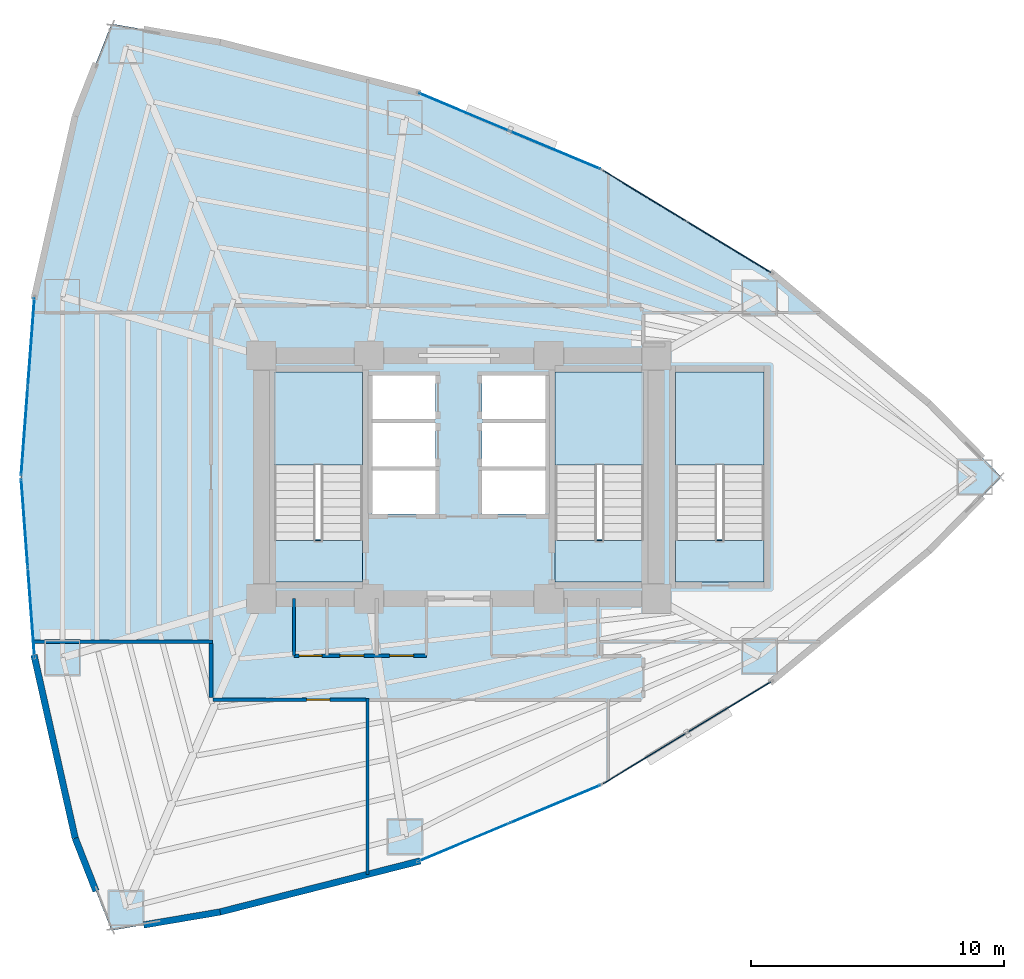
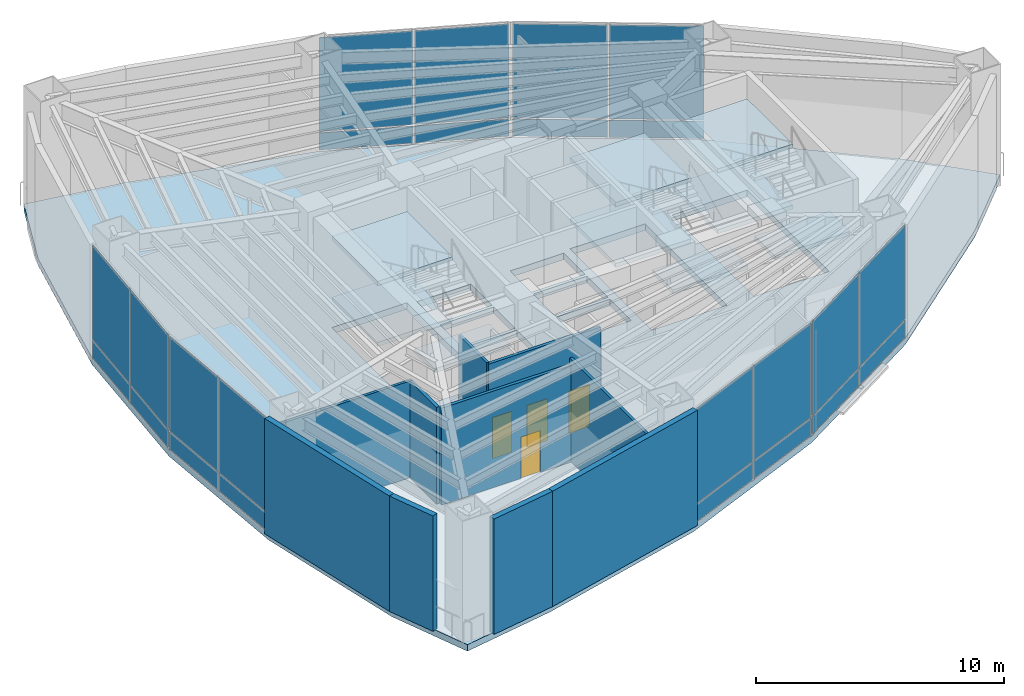
# One storey, part 13 of 19: 24 plates, 10 slabs, 10 walls, 4 doors, 4 openings, 9 elements without a shape of their own.
"""IFC4 building model written with IfcOpenShell, lengths in metres."""

from ifc_helpers import new_model, si_unit, direction, frame, frame_2d, origin, origin_2d, place, context, subcontext, project, spatial, polyline, rectangle, outline, extrude, material, layer, layer_set, type_object, element, fill, aggregate, save


model = new_model("IFC4")

# Units and contexts
model_context = context("Model", 3, precision=1e-05, world=origin(), true_north=direction((0.0, 1.0)))
body_context = subcontext(model_context, "Body", "Model", "MODEL_VIEW")
ifc_project = project(units=[si_unit("LENGTHUNIT", "METRE"), si_unit("AREAUNIT", "SQUARE_METRE"), si_unit("VOLUMEUNIT", "CUBIC_METRE"), si_unit("PLANEANGLEUNIT", "RADIAN"), si_unit("MASSUNIT", "GRAM", prefix="KILO")], contexts=[model_context])

# Site, building, storey
site_placement = place(None, origin())
site = spatial("IfcSite", under=ifc_project, at=site_placement, CompositionType="ELEMENT")
building_placement = place(site_placement, origin())
building = spatial("IfcBuilding", under=site, at=building_placement, Name="Menara Vayukalpa", CompositionType="ELEMENT")
storey_placement = place(building_placement, frame((0.0, 0.0, 12.0)))
storey = spatial("IfcBuildingStorey", under=building, at=storey_placement, Name="L02", CompositionType="ELEMENT", Elevation=12.0)

# Curtain wall, plates
ifc_material_1 = material(Name="Anodised Terracotta Aluminium Alloy 6063-T6", Category="masonry")
ifc_layer_1 = layer(ifc_material_1, 0.179931640625)
ifc_layer_set_1 = layer_set([ifc_layer_1], Name="Anodised Terracotta Aluminium Alloy 6063-T6")
curtain_wall_type = type_object("IfcCurtainWallType", Name="CW-CW1", PredefinedType="USERDEFINED", material=ifc_layer_set_1)
curtain_wall_1_placement = place(storey_placement, origin())
curtain_wall_1 = element("IfcCurtainWall", 1, at=curtain_wall_1_placement, inside=storey, type_object=curtain_wall_type, Name="L02 Podium Unitised Ribbon Curtain Wall CW1 04", ObjectType="UNITISED", PredefinedType="USERDEFINED")
ifc_material_2 = material(Name="Low-E Double Glazing", Category="glass")
ifc_layer_2 = layer(ifc_material_2, 0.035888671875)
ifc_layer_set_2 = layer_set([ifc_layer_2], Name="Low-E Double Glazing")
plate_type = type_object("IfcPlateType", Name="CWP-CW1", PredefinedType="CURTAIN_PANEL", material=ifc_layer_set_2)
plate_1_placement = place(storey_placement, frame((36.274169921875, 31.083251953125, 0.074951171875), z_axis=(0.0, 0.0, 1.0), x_axis=(-0.854664994604, 0.519179879231, 0.0)))
plate_1 = element("IfcPlate", 2, at=plate_1_placement, type_object=plate_type, Name="CW1 panel 1.1", PredefinedType="CURTAIN_PANEL", context=body_context, shape_type="SweptSolid", body=[
    extrude(rectangle(XDim=3.825927734375, YDim=0.035888671875, at=origin_2d()), origin(), (0.0, 0.0, 1.0), 0.83740234375),
])
plate_2_placement = place(storey_placement, frame((36.274169921875, 31.083251953125, 0.9873046875), z_axis=(0.0, 0.0, 1.0), x_axis=(-0.854664994604, 0.519179879231, 0.0)))
plate_2 = element("IfcPlate", 3, at=plate_2_placement, type_object=plate_type, Name="CW1 panel 1.2", PredefinedType="CURTAIN_PANEL", context=body_context, shape_type="SweptSolid", body=[
    extrude(rectangle(XDim=3.825927734375, YDim=0.035888671875, at=origin_2d()), origin(), (0.0, 0.0, 1.0), 4.617431640625),
])
plate_3_placement = place(storey_placement, frame((32.940185546875, 33.1083984375, 0.074951171875), z_axis=(0.0, 0.0, 1.0), x_axis=(-0.854664994604, 0.519179879231, 0.0)))
plate_3 = element("IfcPlate", 4, at=plate_3_placement, type_object=plate_type, Name="CW1 panel 2.1", PredefinedType="CURTAIN_PANEL", context=body_context, shape_type="SweptSolid", body=[
    extrude(rectangle(XDim=3.825927734375, YDim=0.035888671875, at=origin_2d()), origin(), (0.0, 0.0, 1.0), 0.83740234375),
])
plate_4_placement = place(storey_placement, frame((32.940185546875, 33.1083984375, 0.9873046875), z_axis=(0.0, 0.0, 1.0), x_axis=(-0.854664994604, 0.519179879231, 0.0)))
plate_4 = element("IfcPlate", 5, at=plate_4_placement, type_object=plate_type, Name="CW1 panel 2.2", PredefinedType="CURTAIN_PANEL", context=body_context, shape_type="SweptSolid", body=[
    extrude(rectangle(XDim=3.825927734375, YDim=0.035888671875, at=origin_2d()), origin(), (0.0, 0.0, 1.0), 4.617431640625),
])
aggregate(curtain_wall_1, [plate_1, plate_2, plate_3, plate_4])

curtain_wall_2_placement = place(storey_placement, origin())
curtain_wall_2 = element("IfcCurtainWall", 6, at=curtain_wall_2_placement, inside=storey, type_object=curtain_wall_type, Name="L02 Podium Unitised Ribbon Curtain Wall CW1 05", ObjectType="UNITISED", PredefinedType="USERDEFINED")
plate_5_placement = place(storey_placement, frame((29.407470703125, 34.90771484375, 0.074951171875), z_axis=(0.0, 0.0, 1.0), x_axis=(-0.922544543499, 0.385890613077, 0.0)))
plate_5 = element("IfcPlate", 7, at=plate_5_placement, type_object=plate_type, Name="CW1 panel 1.1", PredefinedType="CURTAIN_PANEL", context=body_context, shape_type="SweptSolid", body=[
    extrude(rectangle(XDim=3.82568359375, YDim=0.035888671875, at=origin_2d()), origin(), (0.0, 0.0, 1.0), 0.83740234375),
])
plate_6_placement = place(storey_placement, frame((29.407470703125, 34.90771484375, 0.9873046875), z_axis=(0.0, 0.0, 1.0), x_axis=(-0.922544543499, 0.385890613077, 0.0)))
plate_6 = element("IfcPlate", 8, at=plate_6_placement, type_object=plate_type, Name="CW1 panel 1.2", PredefinedType="CURTAIN_PANEL", context=body_context, shape_type="SweptSolid", body=[
    extrude(rectangle(XDim=3.82568359375, YDim=0.035888671875, at=origin_2d()), origin(), (0.0, 0.0, 1.0), 4.617431640625),
])
plate_7_placement = place(storey_placement, frame((25.808837890625, 36.412841796875, 0.074951171875), z_axis=(0.0, 0.0, 1.0), x_axis=(-0.922544543499, 0.385890613077, 0.0)))
plate_7 = element("IfcPlate", 9, at=plate_7_placement, type_object=plate_type, Name="CW1 panel 2.1", PredefinedType="CURTAIN_PANEL", context=body_context, shape_type="SweptSolid", body=[
    extrude(rectangle(XDim=3.82568359375, YDim=0.035888671875, at=origin_2d()), origin(), (0.0, 0.0, 1.0), 0.83740234375),
])
plate_8_placement = place(storey_placement, frame((25.808837890625, 36.412841796875, 0.9873046875), z_axis=(0.0, 0.0, 1.0), x_axis=(-0.922544543499, 0.385890613077, 0.0)))
plate_8 = element("IfcPlate", 10, at=plate_8_placement, type_object=plate_type, Name="CW1 panel 2.2", PredefinedType="CURTAIN_PANEL", context=body_context, shape_type="SweptSolid", body=[
    extrude(rectangle(XDim=3.82568359375, YDim=0.035888671875, at=origin_2d()), origin(), (0.0, 0.0, 1.0), 4.617431640625),
])
aggregate(curtain_wall_2, [plate_5, plate_6, plate_7, plate_8])

curtain_wall_3_placement = place(storey_placement, origin())
curtain_wall_3 = element("IfcCurtainWall", 11, at=curtain_wall_3_placement, inside=storey, type_object=curtain_wall_type, Name="L02 Podium Unitised Ribbon Curtain Wall CW1 10", ObjectType="UNITISED", PredefinedType="USERDEFINED")
plate_9_placement = place(storey_placement, frame((8.717041015625, 27.327880859375, 0.074951171875), z_axis=(0.0, 0.0, 1.0), x_axis=(-0.074794468953, -0.997198970825, 0.0)))
plate_9 = element("IfcPlate", 12, at=plate_9_placement, type_object=plate_type, Name="CW1 panel 1.1", PredefinedType="CURTAIN_PANEL", context=body_context, shape_type="SweptSolid", body=[
    extrude(rectangle(XDim=3.4619140625, YDim=0.035888671875, at=origin_2d()), origin(), (0.0, 0.0, 1.0), 0.83740234375),
])
plate_10_placement = place(storey_placement, frame((8.717041015625, 27.327880859375, 0.9873046875), z_axis=(0.0, 0.0, 1.0), x_axis=(-0.074794468953, -0.997198970825, 0.0)))
plate_10 = element("IfcPlate", 13, at=plate_10_placement, type_object=plate_type, Name="CW1 panel 1.2", PredefinedType="CURTAIN_PANEL", context=body_context, shape_type="SweptSolid", body=[
    extrude(rectangle(XDim=3.4619140625, YDim=0.035888671875, at=origin_2d()), origin(), (0.0, 0.0, 1.0), 4.617431640625),
])
plate_11_placement = place(storey_placement, frame((8.452392578125, 23.801025390625, 0.074951171875), z_axis=(0.0, 0.0, 1.0), x_axis=(-0.074794468953, -0.997198970825, 0.0)))
plate_11 = element("IfcPlate", 14, at=plate_11_placement, type_object=plate_type, Name="CW1 panel 2.1", PredefinedType="CURTAIN_PANEL", context=body_context, shape_type="SweptSolid", body=[
    extrude(rectangle(XDim=3.4619140625, YDim=0.035888671875, at=origin_2d()), origin(), (0.0, 0.0, 1.0), 0.83740234375),
])
plate_12_placement = place(storey_placement, frame((8.452392578125, 23.801025390625, 0.9873046875), z_axis=(0.0, 0.0, 1.0), x_axis=(-0.074794468953, -0.997198970825, 0.0)))
plate_12 = element("IfcPlate", 15, at=plate_12_placement, type_object=plate_type, Name="CW1 panel 2.2", PredefinedType="CURTAIN_PANEL", context=body_context, shape_type="SweptSolid", body=[
    extrude(rectangle(XDim=3.4619140625, YDim=0.035888671875, at=origin_2d()), origin(), (0.0, 0.0, 1.0), 4.617431640625),
])
aggregate(curtain_wall_3, [plate_9, plate_10, plate_11, plate_12])

curtain_wall_4_placement = place(storey_placement, origin())
curtain_wall_4 = element("IfcCurtainWall", 16, at=curtain_wall_4_placement, inside=storey, type_object=curtain_wall_type, Name="L02 Podium Unitised Ribbon Curtain Wall CW1 11", ObjectType="UNITISED", PredefinedType="USERDEFINED")
plate_13_placement = place(storey_placement, frame((8.452392578125, 20.198974609375, 0.074951171875), z_axis=(0.0, 0.0, 1.0), x_axis=(0.074794468953, -0.997198970825, 0.0)))
plate_13 = element("IfcPlate", 17, at=plate_13_placement, type_object=plate_type, Name="CW1 panel 1.1", PredefinedType="CURTAIN_PANEL", context=body_context, shape_type="SweptSolid", body=[
    extrude(rectangle(XDim=3.4619140625, YDim=0.035888671875, at=origin_2d()), origin(), (0.0, 0.0, 1.0), 0.83740234375),
])
plate_14_placement = place(storey_placement, frame((8.452392578125, 20.198974609375, 0.9873046875), z_axis=(0.0, 0.0, 1.0), x_axis=(0.074794468953, -0.997198970825, 0.0)))
plate_14 = element("IfcPlate", 18, at=plate_14_placement, type_object=plate_type, Name="CW1 panel 1.2", PredefinedType="CURTAIN_PANEL", context=body_context, shape_type="SweptSolid", body=[
    extrude(rectangle(XDim=3.4619140625, YDim=0.035888671875, at=origin_2d()), origin(), (0.0, 0.0, 1.0), 4.617431640625),
])
plate_15_placement = place(storey_placement, frame((8.717041015625, 16.672119140625, 0.074951171875), z_axis=(0.0, 0.0, 1.0), x_axis=(0.074794468953, -0.997198970825, 0.0)))
plate_15 = element("IfcPlate", 19, at=plate_15_placement, type_object=plate_type, Name="CW1 panel 2.1", PredefinedType="CURTAIN_PANEL", context=body_context, shape_type="SweptSolid", body=[
    extrude(rectangle(XDim=3.4619140625, YDim=0.035888671875, at=origin_2d()), origin(), (0.0, 0.0, 1.0), 0.83740234375),
])
plate_16_placement = place(storey_placement, frame((8.717041015625, 16.672119140625, 0.9873046875), z_axis=(0.0, 0.0, 1.0), x_axis=(0.074794468953, -0.997198970825, 0.0)))
plate_16 = element("IfcPlate", 20, at=plate_16_placement, type_object=plate_type, Name="CW1 panel 2.2", PredefinedType="CURTAIN_PANEL", context=body_context, shape_type="SweptSolid", body=[
    extrude(rectangle(XDim=3.4619140625, YDim=0.035888671875, at=origin_2d()), origin(), (0.0, 0.0, 1.0), 4.617431640625),
])
aggregate(curtain_wall_4, [plate_13, plate_14, plate_15, plate_16])

curtain_wall_5_placement = place(storey_placement, origin())
curtain_wall_5 = element("IfcCurtainWall", 21, at=curtain_wall_5_placement, inside=storey, type_object=curtain_wall_type, Name="L02 Podium Unitised Ribbon Curtain Wall CW1 16", ObjectType="UNITISED", PredefinedType="USERDEFINED")
plate_17_placement = place(storey_placement, frame((25.808837890625, 7.587158203125, 0.074951171875), z_axis=(0.0, 0.0, 1.0), x_axis=(0.922544543499, 0.385890613077, 0.0)))
plate_17 = element("IfcPlate", 22, at=plate_17_placement, type_object=plate_type, Name="CW1 panel 1.1", PredefinedType="CURTAIN_PANEL", context=body_context, shape_type="SweptSolid", body=[
    extrude(rectangle(XDim=3.82568359375, YDim=0.035888671875, at=origin_2d()), origin(), (0.0, 0.0, 1.0), 0.83740234375),
])
plate_18_placement = place(storey_placement, frame((25.808837890625, 7.587158203125, 0.9873046875), z_axis=(0.0, 0.0, 1.0), x_axis=(0.922544543499, 0.385890613077, 0.0)))
plate_18 = element("IfcPlate", 23, at=plate_18_placement, type_object=plate_type, Name="CW1 panel 1.2", PredefinedType="CURTAIN_PANEL", context=body_context, shape_type="SweptSolid", body=[
    extrude(rectangle(XDim=3.82568359375, YDim=0.035888671875, at=origin_2d()), origin(), (0.0, 0.0, 1.0), 4.617431640625),
])
plate_19_placement = place(storey_placement, frame((29.407470703125, 9.09228515625, 0.074951171875), z_axis=(0.0, 0.0, 1.0), x_axis=(0.922544543499, 0.385890613077, 0.0)))
plate_19 = element("IfcPlate", 24, at=plate_19_placement, type_object=plate_type, Name="CW1 panel 2.1", PredefinedType="CURTAIN_PANEL", context=body_context, shape_type="SweptSolid", body=[
    extrude(rectangle(XDim=3.82568359375, YDim=0.035888671875, at=origin_2d()), origin(), (0.0, 0.0, 1.0), 0.83740234375),
])
plate_20_placement = place(storey_placement, frame((29.407470703125, 9.09228515625, 0.9873046875), z_axis=(0.0, 0.0, 1.0), x_axis=(0.922544543499, 0.385890613077, 0.0)))
plate_20 = element("IfcPlate", 25, at=plate_20_placement, type_object=plate_type, Name="CW1 panel 2.2", PredefinedType="CURTAIN_PANEL", context=body_context, shape_type="SweptSolid", body=[
    extrude(rectangle(XDim=3.82568359375, YDim=0.035888671875, at=origin_2d()), origin(), (0.0, 0.0, 1.0), 4.617431640625),
])
aggregate(curtain_wall_5, [plate_17, plate_18, plate_19, plate_20])

curtain_wall_6_placement = place(storey_placement, origin())
curtain_wall_6 = element("IfcCurtainWall", 26, at=curtain_wall_6_placement, inside=storey, type_object=curtain_wall_type, Name="L02 Podium Unitised Ribbon Curtain Wall CW1 17", ObjectType="UNITISED", PredefinedType="USERDEFINED")
plate_21_placement = place(storey_placement, frame((32.940185546875, 10.8916015625, 0.074951171875), z_axis=(0.0, 0.0, 1.0), x_axis=(0.854664994604, 0.519179879231, 0.0)))
plate_21 = element("IfcPlate", 27, at=plate_21_placement, type_object=plate_type, Name="CW1 panel 1.1", PredefinedType="CURTAIN_PANEL", context=body_context, shape_type="SweptSolid", body=[
    extrude(rectangle(XDim=3.825927734375, YDim=0.035888671875, at=origin_2d()), origin(), (0.0, 0.0, 1.0), 0.83740234375),
])
plate_22_placement = place(storey_placement, frame((32.940185546875, 10.8916015625, 0.9873046875), z_axis=(0.0, 0.0, 1.0), x_axis=(0.854664994604, 0.519179879231, 0.0)))
plate_22 = element("IfcPlate", 28, at=plate_22_placement, type_object=plate_type, Name="CW1 panel 1.2", PredefinedType="CURTAIN_PANEL", context=body_context, shape_type="SweptSolid", body=[
    extrude(rectangle(XDim=3.825927734375, YDim=0.035888671875, at=origin_2d()), origin(), (0.0, 0.0, 1.0), 4.617431640625),
])
plate_23_placement = place(storey_placement, frame((36.274169921875, 12.916748046875, 0.074951171875), z_axis=(0.0, 0.0, 1.0), x_axis=(0.854664994604, 0.519179879231, 0.0)))
plate_23 = element("IfcPlate", 29, at=plate_23_placement, type_object=plate_type, Name="CW1 panel 2.1", PredefinedType="CURTAIN_PANEL", context=body_context, shape_type="SweptSolid", body=[
    extrude(rectangle(XDim=3.825927734375, YDim=0.035888671875, at=origin_2d()), origin(), (0.0, 0.0, 1.0), 0.83740234375),
])
plate_24_placement = place(storey_placement, frame((36.274169921875, 12.916748046875, 0.9873046875), z_axis=(0.0, 0.0, 1.0), x_axis=(0.854664994604, 0.519179879231, 0.0)))
plate_24 = element("IfcPlate", 30, at=plate_24_placement, type_object=plate_type, Name="CW1 panel 2.2", PredefinedType="CURTAIN_PANEL", context=body_context, shape_type="SweptSolid", body=[
    extrude(rectangle(XDim=3.825927734375, YDim=0.035888671875, at=origin_2d()), origin(), (0.0, 0.0, 1.0), 4.617431640625),
])
aggregate(curtain_wall_6, [plate_21, plate_22, plate_23, plate_24])

# Slab
ifc_material_3 = material(Name="Concrete C45/55", Category="concrete")
ifc_layer_3 = layer(ifc_material_3, 0.320068359375)
ifc_layer_set_3 = layer_set([ifc_layer_3], Name="Concrete C45/55")
slab_type_1 = type_object("IfcSlabType", Name="SLB-FL320", PredefinedType="FLOOR", material=ifc_layer_set_3)
slab_1_placement = place(storey_placement, frame((0.0, 0.0, -0.320068359375)))
element("IfcSlab", 31, at=slab_1_placement, inside=storey, type_object=slab_type_1, Name="L02 Structural Floor Slab", PredefinedType="FLOOR", context=body_context, shape_type="SweptSolid", body=[
    extrude(outline(polyline([(44.17041015625, 19.088134765625), (47.029296875, 22.0), (44.17041015625, 24.911865234375), (37.97314453125, 30.051025390625), (31.2412109375, 34.140380859375), (23.974853515625, 37.179931640625), (16.173583984375, 39.169677734375), (11.885498046875, 39.8974609375), (10.4560546875, 36.2578125), (8.85205078125, 29.12890625), (8.3173828125, 22.0), (8.85205078125, 14.87109375), (10.4560546875, 7.7421875), (11.885498046875, 4.1025390625), (16.173583984375, 4.830322265625), (23.974853515625, 6.820068359375), (31.2412109375, 9.859619140625), (37.97314453125, 13.948974609375), (44.17041015625, 19.088134765625)]), holes=[polyline([(21.800048828125, 19.550048828125), (21.800048828125, 26.14990234375), (18.300048828125, 26.14990234375), (18.300048828125, 19.550048828125), (21.800048828125, 19.550048828125)]), polyline([(32.89990234375, 19.550048828125), (32.89990234375, 26.14990234375), (29.39990234375, 26.14990234375), (29.39990234375, 19.550048828125), (32.89990234375, 19.550048828125)]), polyline([(37.64990234375, 19.550048828125), (37.64990234375, 26.14990234375), (34.14990234375, 26.14990234375), (34.14990234375, 19.550048828125), (37.64990234375, 19.550048828125)]), polyline([(22.179931640625, 20.550048828125), (24.679931640625, 20.550048828125), (24.679931640625, 22.27001953125), (22.179931640625, 22.27001953125), (22.179931640625, 20.550048828125)]), polyline([(26.52001953125, 20.550048828125), (29.02001953125, 20.550048828125), (29.02001953125, 22.27001953125), (26.52001953125, 22.27001953125), (26.52001953125, 20.550048828125)]), polyline([(22.179931640625, 22.419921875), (24.679931640625, 22.419921875), (24.679931640625, 24.139892578125), (22.179931640625, 24.139892578125), (22.179931640625, 22.419921875)]), polyline([(22.179931640625, 24.2900390625), (24.679931640625, 24.2900390625), (24.679931640625, 26.010009765625), (22.179931640625, 26.010009765625), (22.179931640625, 24.2900390625)]), polyline([(26.52001953125, 24.2900390625), (29.02001953125, 24.2900390625), (29.02001953125, 26.010009765625), (26.52001953125, 26.010009765625), (26.52001953125, 24.2900390625)]), polyline([(26.52001953125, 22.419921875), (29.02001953125, 22.419921875), (29.02001953125, 24.139892578125), (26.52001953125, 24.139892578125), (26.52001953125, 22.419921875)])]), origin(), (0.0, 0.0, 1.0), 0.320068359375),
])

# Stair, slabs
ifc_material_4 = material(Name="Precast Concrete C40/50", Category="concrete")
stair_type = type_object("IfcStairType", Name="STR-T03", PredefinedType="DOUBLE_RETURN_STAIR", material=ifc_material_4)
stair_1_placement = place(storey_placement, origin())
stair_1 = element("IfcStair", 32, at=stair_1_placement, inside=storey, type_object=stair_type, Name="L02 Core Exit Stair ST-1", PredefinedType="DOUBLE_RETURN_STAIR")
ifc_material_5 = material(Name="Precast Concrete C40/50", Category="concrete")
ifc_layer_4 = layer(ifc_material_5, 0.199951171875)
ifc_layer_set_4 = layer_set([ifc_layer_4], Name="Precast Concrete C40/50")
slab_type_2 = type_object("IfcSlabType", Name="SLB-LND200", PredefinedType="LANDING", material=ifc_layer_set_4)
slab_2_placement = place(storey_placement, frame((0.0, 0.0, 1.300048828125)))
slab_2 = element("IfcSlab", 33, at=slab_2_placement, type_object=slab_type_2, Name="ST-1 landing 1", PredefinedType="LANDING", context=body_context, shape_type="SweptSolid", body=[
    extrude(outline(polyline([(21.800048828125, 22.469970703125), (21.800048828125, 26.14990234375), (18.300048828125, 26.14990234375), (18.300048828125, 22.469970703125), (21.800048828125, 22.469970703125)])), origin(), (0.0, 0.0, 1.0), 0.199951171875),
])
slab_3_placement = place(storey_placement, frame((0.0, 0.0, 2.800048828125)))
slab_3 = element("IfcSlab", 34, at=slab_3_placement, type_object=slab_type_2, Name="ST-1 landing 2", PredefinedType="LANDING", context=body_context, shape_type="SweptSolid", body=[
    extrude(outline(polyline([(21.800048828125, 17.85009765625), (21.800048828125, 19.5), (18.300048828125, 19.5), (18.300048828125, 17.85009765625), (21.800048828125, 17.85009765625)])), origin(), (0.0, 0.0, 1.0), 0.199951171875),
])
slab_4_placement = place(storey_placement, frame((0.0, 0.0, 4.300048828125)))
slab_4 = element("IfcSlab", 35, at=slab_4_placement, type_object=slab_type_2, Name="ST-1 landing 3", PredefinedType="LANDING", context=body_context, shape_type="SweptSolid", body=[
    extrude(outline(polyline([(21.800048828125, 22.469970703125), (21.800048828125, 26.14990234375), (18.300048828125, 26.14990234375), (18.300048828125, 22.469970703125), (21.800048828125, 22.469970703125)])), origin(), (0.0, 0.0, 1.0), 0.199951171875),
])
aggregate(stair_1, [slab_2, slab_3, slab_4])

stair_2_placement = place(storey_placement, origin())
stair_2 = element("IfcStair", 36, at=stair_2_placement, inside=storey, type_object=stair_type, Name="L02 Core Exit Stair ST-2", PredefinedType="DOUBLE_RETURN_STAIR")
slab_5_placement = place(storey_placement, frame((0.0, 0.0, 1.300048828125)))
slab_5 = element("IfcSlab", 37, at=slab_5_placement, type_object=slab_type_2, Name="ST-2 landing 1", PredefinedType="LANDING", context=body_context, shape_type="SweptSolid", body=[
    extrude(outline(polyline([(32.89990234375, 22.469970703125), (32.89990234375, 26.14990234375), (29.39990234375, 26.14990234375), (29.39990234375, 22.469970703125), (32.89990234375, 22.469970703125)])), origin(), (0.0, 0.0, 1.0), 0.199951171875),
])
slab_6_placement = place(storey_placement, frame((0.0, 0.0, 2.800048828125)))
slab_6 = element("IfcSlab", 38, at=slab_6_placement, type_object=slab_type_2, Name="ST-2 landing 2", PredefinedType="LANDING", context=body_context, shape_type="SweptSolid", body=[
    extrude(outline(polyline([(32.89990234375, 17.85009765625), (32.89990234375, 19.5), (29.39990234375, 19.5), (29.39990234375, 17.85009765625), (32.89990234375, 17.85009765625)])), origin(), (0.0, 0.0, 1.0), 0.199951171875),
])
slab_7_placement = place(storey_placement, frame((0.0, 0.0, 4.300048828125)))
slab_7 = element("IfcSlab", 39, at=slab_7_placement, type_object=slab_type_2, Name="ST-2 landing 3", PredefinedType="LANDING", context=body_context, shape_type="SweptSolid", body=[
    extrude(outline(polyline([(32.89990234375, 22.469970703125), (32.89990234375, 26.14990234375), (29.39990234375, 26.14990234375), (29.39990234375, 22.469970703125), (32.89990234375, 22.469970703125)])), origin(), (0.0, 0.0, 1.0), 0.199951171875),
])
aggregate(stair_2, [slab_5, slab_6, slab_7])

stair_3_placement = place(storey_placement, origin())
stair_3 = element("IfcStair", 40, at=stair_3_placement, inside=storey, type_object=stair_type, Name="L02 Podium Exit Stair ST-3", PredefinedType="DOUBLE_RETURN_STAIR")
slab_8_placement = place(storey_placement, frame((0.0, 0.0, 1.300048828125)))
slab_8 = element("IfcSlab", 41, at=slab_8_placement, type_object=slab_type_2, Name="ST-3 landing 1", PredefinedType="LANDING", context=body_context, shape_type="SweptSolid", body=[
    extrude(outline(polyline([(37.64990234375, 22.469970703125), (37.64990234375, 26.14990234375), (34.14990234375, 26.14990234375), (34.14990234375, 22.469970703125), (37.64990234375, 22.469970703125)])), origin(), (0.0, 0.0, 1.0), 0.199951171875),
])
slab_9_placement = place(storey_placement, frame((0.0, 0.0, 2.800048828125)))
slab_9 = element("IfcSlab", 42, at=slab_9_placement, type_object=slab_type_2, Name="ST-3 landing 2", PredefinedType="LANDING", context=body_context, shape_type="SweptSolid", body=[
    extrude(outline(polyline([(37.64990234375, 17.85009765625), (37.64990234375, 19.5), (34.14990234375, 19.5), (34.14990234375, 17.85009765625), (37.64990234375, 17.85009765625)])), origin(), (0.0, 0.0, 1.0), 0.199951171875),
])
slab_10_placement = place(storey_placement, frame((0.0, 0.0, 4.300048828125)))
slab_10 = element("IfcSlab", 43, at=slab_10_placement, type_object=slab_type_2, Name="ST-3 landing 3", PredefinedType="LANDING", context=body_context, shape_type="SweptSolid", body=[
    extrude(outline(polyline([(37.64990234375, 22.469970703125), (37.64990234375, 26.14990234375), (34.14990234375, 26.14990234375), (34.14990234375, 22.469970703125), (37.64990234375, 22.469970703125)])), origin(), (0.0, 0.0, 1.0), 0.199951171875),
])
aggregate(stair_3, [slab_8, slab_9, slab_10])

# Walls
ifc_material_6 = material(Name="Insulated Precast Concrete C40/50", Category="concrete")
ifc_layer_5 = layer(ifc_material_6, 0.260009765625)
ifc_layer_set_5 = layer_set([ifc_layer_5], Name="Insulated Precast Concrete C40/50")
wall_type_1 = type_object("IfcWallType", Name="WAL-EXT260", PredefinedType="PARTITIONING", material=ifc_layer_set_5)
wall_1_placement = place(storey_placement, frame((10.4560546875, 7.7421875, 0.0), z_axis=(0.0, 0.0, 1.0), x_axis=(-0.219512195122, 0.975609756098, 0.0)))
element("IfcWall", 44, at=wall_1_placement, inside=storey, type_object=wall_type_1, Name="L02 Perimeter Terracotta Pier Wall 12", PredefinedType="PARTITIONING", context=body_context, shape_type="SweptSolid", body=[
    extrude(rectangle(XDim=7.417236328125, YDim=0.260009765625, at=frame_2d((3.70849609375, 0.0))), origin(), (0.0, 0.0, 1.0), 5.679931640625),
])
wall_2_placement = place(storey_placement, frame((11.27587890625, 5.654541015625, 0.0), z_axis=(0.0, 0.0, 1.0), x_axis=(-0.365527759733, 0.930800438797, 0.0)))
element("IfcWall", 45, at=wall_2_placement, inside=storey, type_object=wall_type_1, Name="L02 Perimeter Terracotta Pier Wall 13", PredefinedType="PARTITIONING", context=body_context, shape_type="SweptSolid", body=[
    extrude(rectangle(XDim=2.242919921875, YDim=0.260009765625, at=frame_2d((1.12158203125, 0.0))), origin(), (0.0, 0.0, 1.0), 5.679931640625),
])
wall_3_placement = place(storey_placement, frame((16.179443359375, 4.831298828125, 0.0), z_axis=(0.0, 0.0, 1.0), x_axis=(-0.985905166387, -0.167305119144, 0.0)))
element("IfcWall", 46, at=wall_3_placement, inside=storey, type_object=wall_type_1, Name="L02 Perimeter Terracotta Pier Wall 14", PredefinedType="PARTITIONING", context=body_context, shape_type="SweptSolid", body=[
    extrude(rectangle(XDim=3.064453125, YDim=0.260009765625, at=frame_2d((1.5322265625, 0.0))), origin(), (0.0, 0.0, 1.0), 5.679931640625),
])
wall_4_placement = place(storey_placement, frame((24.081298828125, 6.84716796875, 0.0), z_axis=(0.0, 0.0, 1.0), x_axis=(-0.968981557045, -0.247133045354, 0.0)))
element("IfcWall", 47, at=wall_4_placement, inside=storey, type_object=wall_type_1, Name="L02 Perimeter Terracotta Pier Wall 15", PredefinedType="PARTITIONING", context=body_context, shape_type="SweptSolid", body=[
    extrude(rectangle(XDim=8.1669921875, YDim=0.260009765625, at=frame_2d((4.08349609375, 0.0))), origin(), (0.0, 0.0, 1.0), 5.679931640625),
])
ifc_material_7 = material(Name="Gypsum Drywall Steel Stud Assembly", Category="steel")
ifc_layer_6 = layer(ifc_material_7, 0.125)
ifc_layer_set_6 = layer_set([ifc_layer_6], Name="Gypsum Drywall Steel Stud Assembly")
wall_type_2 = type_object("IfcWallType", Name="WAL-PT125", PredefinedType="PARTITIONING", material=ifc_layer_set_6)
wall_5_placement = place(storey_placement, frame((19.10009765625, 14.949951171875, 0.0), z_axis=(0.0, 0.0, 1.0), x_axis=(0.0, 1.0, 0.0)))
element("IfcWall", 48, at=wall_5_placement, inside=storey, type_object=wall_type_2, Name="L02 Interior Partition IW-L02-SVCD-01", PredefinedType="PARTITIONING", context=body_context, shape_type="SweptSolid", body=[
    extrude(rectangle(XDim=2.25, YDim=0.125, at=frame_2d((1.125, 0.0))), origin(), (0.0, 0.0, 1.0), 4.81005859375),
])
wall_6_placement = place(storey_placement, frame((22.0, 6.305908203125, 0.0), z_axis=(0.0, 0.0, 1.0), x_axis=(0.0, 1.0, 0.0)))
element("IfcWall", 49, at=wall_6_placement, inside=storey, type_object=wall_type_2, Name="L02 Interior Partition IW-L02-RDIV01", PredefinedType="PARTITIONING", context=body_context, shape_type="SweptSolid", body=[
    extrude(rectangle(XDim=6.9541015625, YDim=0.125, at=frame_2d((3.47705078125, 0.0))), origin(), (0.0, 0.0, 1.0), 5.06005859375),
])
wall_7_placement = place(storey_placement, frame((8.794921875, 15.5, 0.0), z_axis=(0.0, 0.0, 1.0), x_axis=(1.0, 0.0, 0.0)))
element("IfcWall", 50, at=wall_7_placement, inside=storey, type_object=wall_type_2, Name="L02 Interior Partition IW-L02-RDIV05", PredefinedType="PARTITIONING", context=body_context, shape_type="SweptSolid", body=[
    extrude(rectangle(XDim=7.0751953125, YDim=0.125, at=frame_2d((3.53759765625, 0.0))), origin(), (0.0, 0.0, 1.0), 4.760009765625),
])

# Wall, openings, doors
ifc_material_8 = material(Name="Gypsum Drywall Acoustic Stud Assembly", Category="masonry")
ifc_layer_7 = layer(ifc_material_8, 0.14501953125)
ifc_layer_set_7 = layer_set([ifc_layer_7], Name="Gypsum Drywall Acoustic Stud Assembly")
wall_type_3 = type_object("IfcWallType", Name="WAL-PT150", PredefinedType="PARTITIONING", material=ifc_layer_set_7)
wall_8_placement = place(storey_placement, frame((19.10009765625, 14.949951171875, 0.0), z_axis=(0.0, 0.0, 1.0), x_axis=(1.0, 0.0, 0.0)))
wall_8 = element("IfcWall", 51, at=wall_8_placement, inside=storey, type_object=wall_type_3, Name="L02 Interior Partition IW-L02-SVCS-W", PredefinedType="PARTITIONING", context=body_context, shape_type="SweptSolid", body=[
    extrude(rectangle(XDim=5.219970703125, YDim=0.14501953125, at=frame_2d((2.60986328125, 0.0))), origin(), (0.0, 0.0, 1.0), 4.760009765625),
])
opening_1_placement = place(wall_8_placement, frame((0.199951171875, 0.0, 0.0)))
opening_1 = element("IfcOpeningElement", 52, at=opening_1_placement, cuts=wall_8, Name="Opening ID7", PredefinedType="OPENING", context=body_context, shape_type="SweptSolid", body=[
    extrude(rectangle(XDim=0.89990234375, YDim=2.02001953125, at=frame_2d((0.449951171875, 1.010009765625))), frame((0.0, 0.08251953125, 0.0), z_axis=(0.0, -1.0, 0.0), x_axis=(1.0, 0.0, 0.0)), (0.0, 0.0, 1.0), 0.1650390625),
])
opening_2_placement = place(wall_8_placement, frame((1.804931640625, 0.0, 0.0)))
opening_2 = element("IfcOpeningElement", 53, at=opening_2_placement, cuts=wall_8, Name="Opening ID5", PredefinedType="OPENING", context=body_context, shape_type="SweptSolid", body=[
    extrude(rectangle(XDim=0.949951171875, YDim=2.06005859375, at=frame_2d((0.47509765625, 1.030029296875))), frame((0.0, 0.08251953125, 0.0), z_axis=(0.0, -1.0, 0.0), x_axis=(1.0, 0.0, 0.0)), (0.0, 0.0, 1.0), 0.1650390625),
])
opening_3_placement = place(wall_8_placement, frame((3.764892578125, 0.0, 0.0)))
opening_3 = element("IfcOpeningElement", 54, at=opening_3_placement, cuts=wall_8, Name="Opening ID5", PredefinedType="OPENING", context=body_context, shape_type="SweptSolid", body=[
    extrude(rectangle(XDim=0.949951171875, YDim=2.06005859375, at=frame_2d((0.47509765625, 1.030029296875))), frame((0.0, 0.08251953125, 0.0), z_axis=(0.0, -1.0, 0.0), x_axis=(1.0, 0.0, 0.0)), (0.0, 0.0, 1.0), 0.1650390625),
])
ifc_material_9 = material(Name="Acoustic Hardwood Veneer Timber Door", Category="wood")
door_type_1 = type_object("IfcDoorType", Name="DR-INT95", OperationType="NOTDEFINED", PredefinedType="DOOR", material=ifc_material_9)
door_1_placement = place(opening_2_placement, origin())
door_1 = element("IfcDoor", 55, at=door_1_placement, inside=storey, type_object=door_type_1, Name="L02 Interior Door DR-L02-AWC", OperationType="SINGLE_SWING_LEFT", OverallHeight=2.06005859375, OverallWidth=0.949951171875, PredefinedType="DOOR", context=body_context, shape_type="SweptSolid", body=[
    extrude(rectangle(XDim=0.949951171875, YDim=2.06005859375, at=frame_2d((0.47509765625, 1.030029296875))), frame((0.0, 0.02490234375, 0.0), z_axis=(0.0, -1.0, 0.0), x_axis=(1.0, 0.0, 0.0)), (0.0, 0.0, 1.0), 0.050048828125),
])
fill(opening_2, door_1)
door_2_placement = place(opening_3_placement, origin())
door_2 = element("IfcDoor", 56, at=door_2_placement, inside=storey, type_object=door_type_1, Name="L02 Interior Door DR-L02-SWC", OperationType="SINGLE_SWING_RIGHT", OverallHeight=2.06005859375, OverallWidth=0.949951171875, PredefinedType="DOOR", context=body_context, shape_type="SweptSolid", body=[
    extrude(rectangle(XDim=0.949951171875, YDim=2.06005859375, at=frame_2d((0.47509765625, 1.030029296875))), frame((0.0, 0.02490234375, 0.0), z_axis=(0.0, -1.0, 0.0), x_axis=(1.0, 0.0, 0.0)), (0.0, 0.0, 1.0), 0.050048828125),
])
fill(opening_3, door_2)
ifc_material_10 = material(Name="Powder-Coated Steel Riser Access Door", Category="steel")
door_type_2 = type_object("IfcDoorType", Name="DR-RISER", OperationType="NOTDEFINED", PredefinedType="DOOR", material=ifc_material_10)
door_3_placement = place(opening_1_placement, origin())
door_3 = element("IfcDoor", 57, at=door_3_placement, inside=storey, type_object=door_type_2, Name="L02 Interior Door DR-L02-ELR", OperationType="SINGLE_SWING_RIGHT", OverallHeight=2.02001953125, OverallWidth=0.89990234375, PredefinedType="DOOR", context=body_context, shape_type="SweptSolid", body=[
    extrude(rectangle(XDim=0.89990234375, YDim=2.02001953125, at=frame_2d((0.449951171875, 1.010009765625))), frame((0.0, 0.02490234375, 0.0), z_axis=(0.0, -1.0, 0.0), x_axis=(1.0, 0.0, 0.0)), (0.0, 0.0, 1.0), 0.050048828125),
])
fill(opening_1, door_3)

# Wall
wall_9_placement = place(storey_placement, frame((15.820068359375, 15.429931640625, 0.0), z_axis=(0.0, 0.0, 1.0), x_axis=(0.0, -1.0, 0.0)))
element("IfcWall", 58, at=wall_9_placement, inside=storey, type_object=wall_type_3, Name="L02 Interior Partition IW-L02-CRM02-1", PredefinedType="PARTITIONING", context=body_context, shape_type="SweptSolid", body=[
    extrude(rectangle(XDim=2.139892578125, YDim=0.14501953125, at=frame_2d((1.06982421875, 0.0))), origin(), (0.0, 0.0, 1.0), 4.760009765625),
])

# Wall, opening, door
wall_10_placement = place(storey_placement, frame((15.89990234375, 13.2099609375, 0.0), z_axis=(0.0, 0.0, 1.0), x_axis=(1.0, 0.0, 0.0)))
wall_10 = element("IfcWall", 59, at=wall_10_placement, inside=storey, type_object=wall_type_3, Name="L02 Interior Partition IW-L02-CRM02-2", PredefinedType="PARTITIONING", context=body_context, shape_type="SweptSolid", body=[
    extrude(rectangle(XDim=6.030029296875, YDim=0.14501953125, at=frame_2d((3.01513671875, 0.0))), origin(), (0.0, 0.0, 1.0), 4.760009765625),
])
opening_4_placement = place(wall_10_placement, frame((3.6923828125, 0.0, 0.0)))
opening_4 = element("IfcOpeningElement", 60, at=opening_4_placement, cuts=wall_10, Name="Opening ID6", PredefinedType="OPENING", context=body_context, shape_type="SweptSolid", body=[
    extrude(rectangle(XDim=0.919921875, YDim=2.050048828125, at=frame_2d((0.4599609375, 1.02490234375))), frame((0.0, 0.08251953125, 0.0), z_axis=(0.0, -1.0, 0.0), x_axis=(1.0, 0.0, 0.0)), (0.0, 0.0, 1.0), 0.1650390625),
])
ifc_material_11 = material(Name="Acoustic Hardwood Veneer Timber Door", Category="wood")
door_type_3 = type_object("IfcDoorType", Name="DR-INT92", OperationType="NOTDEFINED", PredefinedType="DOOR", material=ifc_material_11)
door_4_placement = place(opening_4_placement, origin())
door_4 = element("IfcDoor", 61, at=door_4_placement, inside=storey, type_object=door_type_3, Name="L02 Interior Door DR-L02-RM02", OperationType="SINGLE_SWING_LEFT", OverallHeight=2.050048828125, OverallWidth=0.919921875, PredefinedType="DOOR", context=body_context, shape_type="SweptSolid", body=[
    extrude(rectangle(XDim=0.919921875, YDim=2.050048828125, at=frame_2d((0.4599609375, 1.02490234375))), frame((0.0, 0.02490234375, 0.0), z_axis=(0.0, -1.0, 0.0), x_axis=(1.0, 0.0, 0.0)), (0.0, 0.0, 1.0), 0.050048828125),
])
fill(opening_4, door_4)

save(model, "model.ifc")
